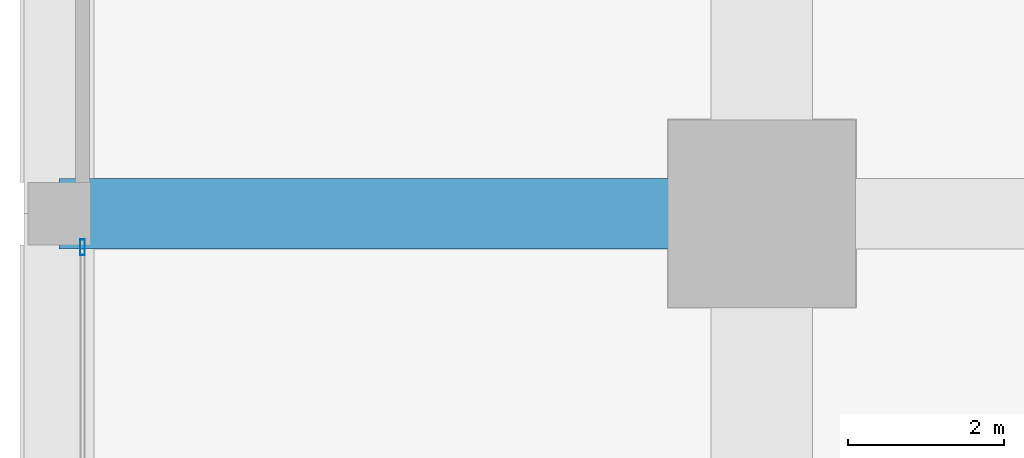
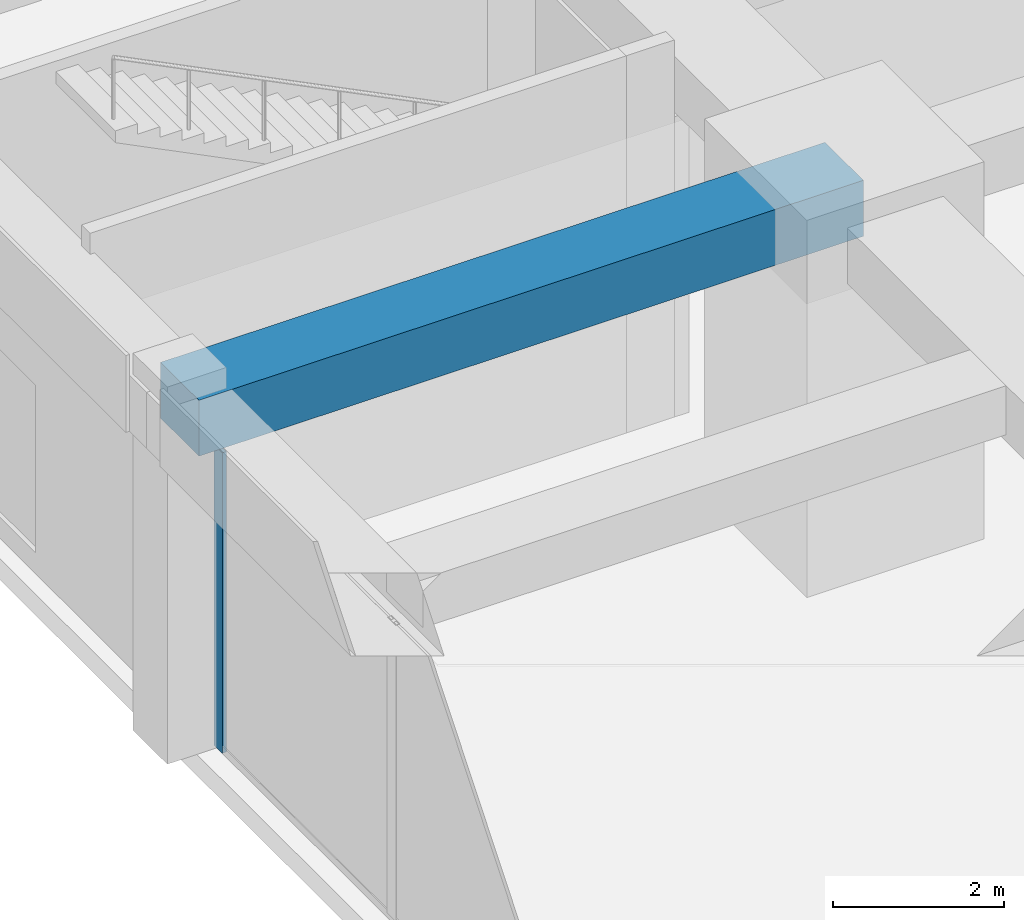
# One storey, part 18 of 45: 1 beam, 1 member, 1 element without a shape of its own.
"""IFC4 building model written with IfcOpenShell, lengths in metres."""

from ifc_helpers import new_model, si_unit, direction, frame, origin, origin_2d, place, context, subcontext, project, spatial, rectangle, hollow_rectangle, extrude, material, material_profile, profile_set, type_object, element, aggregate, save


model = new_model("IFC4")

# Units and contexts
model_context = context("Model", 3, precision=1e-05, world=origin(), true_north=direction((0.0, 1.0)))
body_context = subcontext(model_context, "Body", "Model", "MODEL_VIEW")
ifc_project = project(units=[si_unit("LENGTHUNIT", "METRE"), si_unit("AREAUNIT", "SQUARE_METRE"), si_unit("VOLUMEUNIT", "CUBIC_METRE"), si_unit("PLANEANGLEUNIT", "RADIAN"), si_unit("MASSUNIT", "GRAM", prefix="KILO")], contexts=[model_context])

# Site, building, storey
site_placement = place(None, origin())
site = spatial("IfcSite", under=ifc_project, at=site_placement, CompositionType="ELEMENT")
building_placement = place(site_placement, origin())
building = spatial("IfcBuilding", under=site, at=building_placement, Name="Zorevar Civic Tower", CompositionType="ELEMENT")
storey_placement = place(building_placement, frame((0.0, 0.0, 5.39990234375)))
storey = spatial("IfcBuildingStorey", under=building, at=storey_placement, Name="L01", CompositionType="ELEMENT", Elevation=5.39990234375)

# Beam
ifc_material_1 = material(Name="Concrete C50/60", Category="concrete")
ifc_material_profile_1 = material_profile(ifc_material_1, rectangle(XDim=0.89990234375, YDim=0.800048828125, at=origin_2d()), Name="RC 900x800")
ifc_profile_set_1 = profile_set([ifc_material_profile_1], Name="Concrete C50/60")
beam_type = type_object("IfcBeamType", Name="Beam RC 900x800", PredefinedType="BEAM", material=ifc_profile_set_1)
beam_placement = place(storey_placement, frame((-9.0, 36.0, 4.7001953125), z_axis=(1.0, 0.0, 0.0), x_axis=(0.0, 1.0, 0.0)))
element("IfcBeam", 1, at=beam_placement, inside=storey, type_object=beam_type, Name="Girder L02", PredefinedType="BEAM", context=body_context, shape_type="SweptSolid", body=[
    extrude(rectangle(XDim=0.89990234375, YDim=0.800048828125, at=origin_2d()), origin(), (0.0, 0.0, 1.0), 9.0),
])

# Curtain wall, member
ifc_material_2 = material(Name="Dark grey solar-control glass in black aluminium frame", Category="aluminium")
curtain_wall_type = type_object("IfcCurtainWallType", Name="Curtain wall CW1 podium", PredefinedType="NOTDEFINED", material=ifc_material_2)
curtain_wall_placement = place(storey_placement, origin())
curtain_wall = element("IfcCurtainWall", 2, at=curtain_wall_placement, inside=storey, type_object=curtain_wall_type, Name="CW1 L01", PredefinedType="NOTDEFINED")
ifc_material_3 = material(Name="Aluminium, black anodised", Category="aluminium")
ifc_material_profile_2 = material_profile(ifc_material_3, hollow_rectangle(XDim=0.06005859375, YDim=0.199951171875, WallThickness=0.00390625, at=origin_2d()), Name="AL 200x60x4")
ifc_profile_set_2 = profile_set([ifc_material_profile_2], Name="Aluminium, black anodised")
member_type = type_object("IfcMemberType", Name="CW1 mullion AL 200x60x4", PredefinedType="MULLION", material=ifc_profile_set_2)
member_placement = place(storey_placement, frame((-8.699951171875, 35.570068359375, 0.0), z_axis=(0.0, 0.0, 1.0), x_axis=(-1.0, 0.0, 0.0)))
member = element("IfcMember", 3, at=member_placement, type_object=member_type, Name="CW1 mullion 3", PredefinedType="MULLION", context=body_context, shape_type="SweptSolid", body=[
    extrude(hollow_rectangle(XDim=0.06005859375, YDim=0.199951171875, WallThickness=0.00390625, at=origin_2d()), origin(), (0.0, 0.0, 1.0), 4.300048828125),
])
aggregate(curtain_wall, [member])

save(model, "model.ifc")
